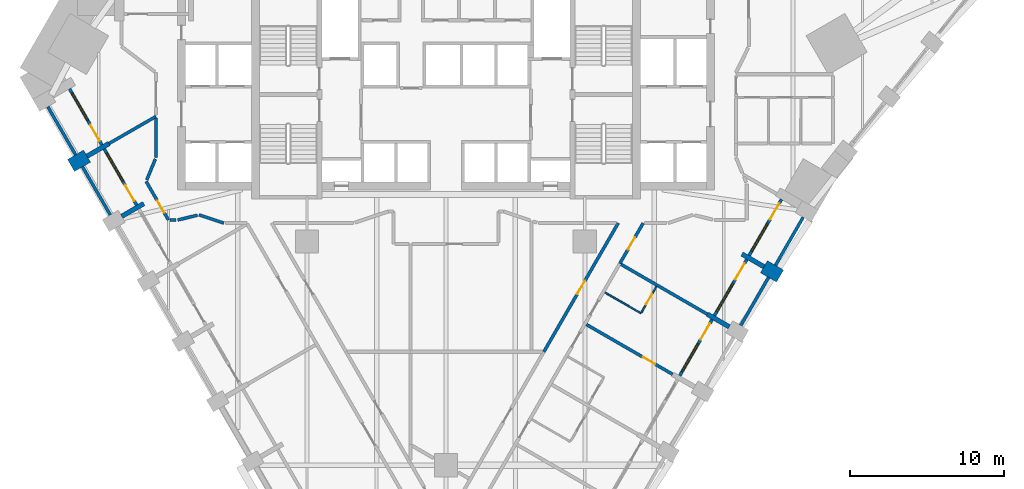
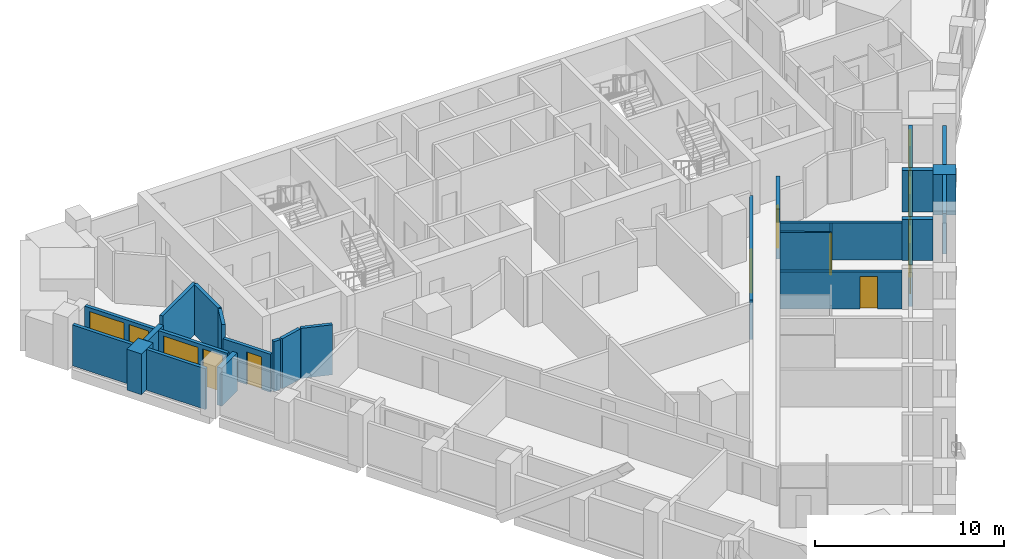
# One storey, part 5 of 11: 28 walls, 10 doors, 5 windows, 15 openings.
"""IFC4 building model written with IfcOpenShell, lengths in metres."""

from ifc_helpers import new_model, si_unit, direction, frame, frame_2d, origin, place, context, subcontext, project, spatial, polyline, rectangle, outline, extrude, material, layer, layer_set, type_object, element, fill, save


model = new_model("IFC4")

# Units and contexts
model_context = context("Model", 3, precision=1e-05, world=origin(), true_north=direction((0.0, 1.0)))
body_context = subcontext(model_context, "Body", "Model", "MODEL_VIEW")
ifc_project = project(units=[si_unit("LENGTHUNIT", "METRE"), si_unit("AREAUNIT", "SQUARE_METRE"), si_unit("VOLUMEUNIT", "CUBIC_METRE"), si_unit("PLANEANGLEUNIT", "RADIAN"), si_unit("MASSUNIT", "GRAM", prefix="KILO")], contexts=[model_context])

# Site, building, storey
site_placement = place(None, origin())
site = spatial("IfcSite", under=ifc_project, at=site_placement, CompositionType="ELEMENT")
building_placement = place(site_placement, origin())
building = spatial("IfcBuilding", under=site, at=building_placement, Name="Calabash Gate Tower", CompositionType="ELEMENT")
storey_placement = place(building_placement, frame((0.0, 0.0, 112.199951171875)))
storey = spatial("IfcBuildingStorey", under=building, at=storey_placement, Name="L25", CompositionType="ELEMENT", Elevation=112.199951171875)

# Walls
ifc_material_1 = material(Name="Terracotta brick masonry, exposed face", Category="masonry")
ifc_layer_1 = layer(ifc_material_1, 1.199951171875)
ifc_layer_set_1 = layer_set([ifc_layer_1], Name="Brick end wall 1200")
wall_type_1 = type_object("IfcWallType", Name="Brick end wall 1200", PredefinedType="SOLIDWALL", material=ifc_layer_set_1)
for number, where, z_axis, x_axis, name in (
    (1, (-24.30859375, 7.43896484375, 0.0), (0.0, 0.0, 1.0), (0.865955154139, 0.50012165622, 0.0), "Brick pier S07 SW0.1"),
    (2, (21.656494140625, 0.27197265625, 0.0), (0.0, 0.0, 1.0), (-0.866094119867, 0.499880961361, 0.0), "Brick pier S07 SE2.7"),
):
    element("IfcWall", number, at=place(storey_placement, frame(where, z_axis=z_axis, x_axis=x_axis)), inside=storey, type_object=wall_type_1, Name=name, PredefinedType="SOLIDWALL", context=body_context, shape_type="SweptSolid", body=[
        extrude(rectangle(XDim=1.199951171875, YDim=0.89990234375, at=frame_2d((0.60009765625, 0.0))), origin(), (0.0, 0.0, 1.0), 2.630126953125),
    ])
ifc_material_2 = material(Name="Terracotta brick masonry, exposed face", Category="masonry")
ifc_layer_2 = layer(ifc_material_2, 0.300048828125)
ifc_layer_set_2 = layer_set([ifc_layer_2], Name="Brick loggia cheek wall 300")
wall_type_2 = type_object("IfcWallType", Name="Brick loggia cheek wall 300", PredefinedType="SOLIDWALL", material=ifc_layer_set_2)
wall_1_placement = place(storey_placement, frame((-23.26953125, 8.0390625, 0.0), z_axis=(0.0, 0.0, 1.0), x_axis=(0.866040211805, 0.499974350878, 0.0)))
element("IfcWall", 3, at=wall_1_placement, inside=storey, type_object=wall_type_2, Name="Loggia cheek S07 SW0.1", PredefinedType="SOLIDWALL", context=body_context, shape_type="SweptSolid", body=[
    extrude(rectangle(XDim=1.64990234375, YDim=0.300048828125, at=frame_2d((0.824951171875, 0.0))), origin(), (0.0, 0.0, 1.0), 2.650146484375),
])
wall_2_placement = place(storey_placement, frame((-21.019287109375, 4.141845703125, 0.0), z_axis=(0.0, 0.0, 1.0), x_axis=(0.866003217194, 0.500038426333, 0.0)))
element("IfcWall", 4, at=wall_2_placement, inside=storey, type_object=wall_type_2, Name="Loggia cheek S07 SW0.2", PredefinedType="SOLIDWALL", context=body_context, shape_type="SweptSolid", body=[
    extrude(rectangle(XDim=1.649658203125, YDim=0.300048828125, at=frame_2d((0.82470703125, 0.0))), origin(), (0.0, 0.0, 1.0), 2.4501953125),
])
wall_3_placement = place(storey_placement, frame((18.366455078125, -3.024658203125, 0.0), z_axis=(0.0, 0.0, 1.0), x_axis=(-0.866057395165, 0.499944585209, 0.0)))
element("IfcWall", 5, at=wall_3_placement, inside=storey, type_object=wall_type_2, Name="Loggia cheek S07 SE2.6", PredefinedType="SOLIDWALL", context=body_context, shape_type="SweptSolid", body=[
    extrude(rectangle(XDim=1.649169921875, YDim=0.300048828125, at=frame_2d((0.82470703125, 0.0))), origin(), (0.0, 0.0, 1.0), 2.650146484375),
])
wall_4_placement = place(storey_placement, frame((20.6171875, 0.871826171875, 0.0), z_axis=(0.0, 0.0, 1.0), x_axis=(-0.866040211805, 0.499974350878, 0.0)))
element("IfcWall", 6, at=wall_4_placement, inside=storey, type_object=wall_type_2, Name="Loggia cheek S07 SE2.7", PredefinedType="SOLIDWALL", context=body_context, shape_type="SweptSolid", body=[
    extrude(rectangle(XDim=1.64990234375, YDim=0.300048828125, at=frame_2d((0.824951171875, 0.0))), origin(), (0.0, 0.0, 1.0), 2.650146484375),
])

# Wall, opening, door
ifc_material_3 = material(Name="Gypsum board on steel studs, mineral wool", Category="steel")
ifc_layer_3 = layer(ifc_material_3, 0.10009765625)
ifc_layer_set_3 = layer_set([ifc_layer_3], Name="Partition 100 gypsum board")
wall_type_3 = type_object("IfcWallType", Name="Partition 100 gypsum board", PredefinedType="PARTITIONING", material=ifc_layer_set_3)
wall_5_placement = place(storey_placement, frame((12.665771484375, -2.1005859375, 0.0), z_axis=(0.0, 0.0, 1.0), x_axis=(0.49995005938, 0.866054235095, 0.0)))
wall_5 = element("IfcWall", 7, at=wall_5_placement, inside=storey, type_object=wall_type_3, Name="Partition", PredefinedType="PARTITIONING", context=body_context, shape_type="SweptSolid", body=[
    extrude(rectangle(XDim=1.949951171875, YDim=0.10009765625, at=frame_2d((0.97509765625, 0.0))), origin(), (0.0, 0.0, 1.0), 2.384033203125),
])
opening_1_placement = place(wall_5_placement, frame((0.60009765625, 0.0, 0.0)))
opening_1 = element("IfcOpeningElement", 8, at=opening_1_placement, cuts=wall_5, Name="Opening 25-27-009", PredefinedType="OPENING", context=body_context, shape_type="SweptSolid", body=[
    extrude(rectangle(XDim=0.800048828125, YDim=2.10009765625, at=frame_2d((0.39990234375, 1.050048828125))), frame((0.0, 0.06005859375, 0.0), z_axis=(0.0, -1.0, 0.0), x_axis=(1.0, 0.0, 0.0)), (0.0, 0.0, 1.0), 0.1201171875),
])
ifc_material_4 = material(Name="Painted timber door", Category="wood")
door_type_1 = type_object("IfcDoorType", Name="GD5 En-suite door 800x2100", OperationType="NOTDEFINED", PredefinedType="DOOR", material=ifc_material_4)
door_1_placement = place(opening_1_placement, origin())
door_1 = element("IfcDoor", 9, at=door_1_placement, inside=storey, type_object=door_type_1, Name="En-suite door", OperationType="SINGLE_SWING_RIGHT", OverallHeight=2.10009765625, OverallWidth=0.800048828125, PredefinedType="DOOR", context=body_context, shape_type="SweptSolid", body=[
    extrude(rectangle(XDim=0.800048828125, YDim=2.10009765625, at=frame_2d((0.39990234375, 1.050048828125))), frame((0.0, 0.02490234375, 0.0), z_axis=(0.0, -1.0, 0.0), x_axis=(1.0, 0.0, 0.0)), (0.0, 0.0, 1.0), 0.050048828125),
])
fill(opening_1, door_1)

# Wall
wall_6_placement = place(storey_placement, frame((10.303466796875, -0.79248046875, 0.0), z_axis=(0.0, 0.0, 1.0), x_axis=(0.86571095196, -0.500544251447, 0.0)))
element("IfcWall", 10, at=wall_6_placement, inside=storey, type_object=wall_type_3, Name="Partition", PredefinedType="PARTITIONING", context=body_context, shape_type="SweptSolid", body=[
    extrude(rectangle(XDim=2.69970703125, YDim=0.10009765625, at=frame_2d((1.349853515625, 0.0))), origin(), (0.0, 0.0, 1.0), 3.22998046875),
])

# Wall, opening, door
ifc_material_5 = material(Name="Gypsum board on steel studs, mineral wool", Category="steel")
ifc_layer_4 = layer(ifc_material_5, 0.199951171875)
ifc_layer_set_4 = layer_set([ifc_layer_4], Name="Partition 200 gypsum board EI 60")
wall_type_4 = type_object("IfcWallType", Name="Partition 200 gypsum board EI 60", PredefinedType="PARTITIONING", material=ifc_layer_set_4)
wall_7_placement = place(storey_placement, frame((6.347900390625, -4.639404296875, 0.0), z_axis=(0.0, 0.0, 1.0), x_axis=(0.500160597015, 0.865932663198, 0.0)))
wall_7 = element("IfcWall", 11, at=wall_7_placement, inside=storey, type_object=wall_type_4, Name="Partition", PredefinedType="PARTITIONING", context=body_context, shape_type="SweptSolid", body=[
    extrude(rectangle(XDim=9.630126953125, YDim=0.199951171875, at=frame_2d((4.81494140625, 0.0))), origin(), (0.0, 0.0, 1.0), 2.552001953125),
])
opening_2_placement = place(wall_7_placement, frame((4.314697265625, 0.0, 0.0)))
opening_2 = element("IfcOpeningElement", 12, at=opening_2_placement, cuts=wall_7, Name="Opening 25-27-013", PredefinedType="OPENING", context=body_context, shape_type="SweptSolid", body=[
    extrude(rectangle(XDim=1.0, YDim=2.10009765625, at=frame_2d((0.5, 1.050048828125))), frame((0.0, 0.10986328125, 0.0), z_axis=(0.0, -1.0, 0.0), x_axis=(1.0, 0.0, 0.0)), (0.0, 0.0, 1.0), 0.219970703125),
])
ifc_material_6 = material(Name="Steel fire door set with fire-resisting glazing", Category="steel")
door_type_2 = type_object("IfcDoorType", Name="LD2 Meeting room door 1000x2100", OperationType="NOTDEFINED", PredefinedType="DOOR", material=ifc_material_6)
door_2_placement = place(opening_2_placement, origin())
door_2 = element("IfcDoor", 13, at=door_2_placement, inside=storey, type_object=door_type_2, Name="Meeting room door", OperationType="SINGLE_SWING_LEFT", OverallHeight=2.10009765625, OverallWidth=1.0, PredefinedType="DOOR", context=body_context, shape_type="SweptSolid", body=[
    extrude(rectangle(XDim=1.0, YDim=2.10009765625, at=frame_2d((0.5, 1.050048828125))), frame((0.0, 0.02490234375, 0.0), z_axis=(0.0, -1.0, 0.0), x_axis=(1.0, 0.0, 0.0)), (0.0, 0.0, 1.0), 0.050048828125),
])
fill(opening_2, door_2)

wall_8_placement = place(storey_placement, frame((9.103515625, -2.870849609375, 0.0), z_axis=(0.0, 0.0, 1.0), x_axis=(0.865901871826, -0.500213902613, 0.0)))
wall_8 = element("IfcWall", 14, at=wall_8_placement, inside=storey, type_object=wall_type_4, Name="Partition", PredefinedType="PARTITIONING", context=body_context, shape_type="SweptSolid", body=[
    extrude(rectangle(XDim=6.449951171875, YDim=0.199951171875, at=frame_2d((3.22509765625, 0.0))), origin(), (0.0, 0.0, 1.0), 2.384033203125),
])
opening_3_placement = place(wall_8_placement, frame((4.249755859375, 0.0, 0.0)))
opening_3 = element("IfcOpeningElement", 15, at=opening_3_placement, cuts=wall_8, Name="Opening 25-27-010", PredefinedType="OPENING", context=body_context, shape_type="SweptSolid", body=[
    extrude(rectangle(XDim=0.89990234375, YDim=2.10009765625, at=frame_2d((0.449951171875, 1.050048828125))), frame((0.0, 0.10986328125, 0.0), z_axis=(0.0, -1.0, 0.0), x_axis=(1.0, 0.0, 0.0)), (0.0, 0.0, 1.0), 0.219970703125),
])
ifc_material_7 = material(Name="Steel fire door set with fire-resisting glazing", Category="steel")
door_type_3 = type_object("IfcDoorType", Name="GD4 Connecting door 900x2100", OperationType="NOTDEFINED", PredefinedType="DOOR", material=ifc_material_7)
door_3_placement = place(opening_3_placement, origin())
door_3 = element("IfcDoor", 16, at=door_3_placement, inside=storey, type_object=door_type_3, Name="Connecting door", OperationType="SINGLE_SWING_RIGHT", OverallHeight=2.10009765625, OverallWidth=0.89990234375, PredefinedType="DOOR", context=body_context, shape_type="SweptSolid", body=[
    extrude(rectangle(XDim=0.89990234375, YDim=2.10009765625, at=frame_2d((0.449951171875, 1.050048828125))), frame((0.0, 0.02490234375, 0.0), z_axis=(0.0, -1.0, 0.0), x_axis=(1.0, 0.0, 0.0)), (0.0, 0.0, 1.0), 0.050048828125),
])
fill(opening_3, door_3)

# Walls
wall_9_placement = place(storey_placement, frame((11.355224609375, 1.025390625, 0.0), z_axis=(0.0, 0.0, 1.0), x_axis=(0.865748417306, -0.500479448062, 0.0)))
element("IfcWall", 17, at=wall_9_placement, inside=storey, type_object=wall_type_4, Name="Partition", PredefinedType="PARTITIONING", context=body_context, shape_type="SweptSolid", body=[
    extrude(rectangle(XDim=6.447998046875, YDim=0.199951171875, at=frame_2d((3.22412109375, 0.0))), origin(), (0.0, 0.0, 1.0), 2.384033203125),
])
wall_10_placement = place(storey_placement, frame((-16.01611328125, 4.23828125, 0.0), z_axis=(0.0, 0.0, 1.0), x_axis=(0.948654629562, -0.31631375849, 0.0)))
element("IfcWall", 18, at=wall_10_placement, inside=storey, type_object=wall_type_4, Name="Partition", PredefinedType="PARTITIONING", context=body_context, shape_type="SweptSolid", body=[
    extrude(rectangle(XDim=1.703369140625, YDim=0.199951171875, at=frame_2d((0.8515625, 0.0))), origin(), (0.0, 0.0, 1.0), 3.22998046875),
])

# Wall, opening, door
wall_11_placement = place(storey_placement, frame((11.2685546875, 1.075439453125, 0.0), z_axis=(0.0, 0.0, 1.0), x_axis=(0.499554983499, 0.866282181775, 0.0)))
wall_11 = element("IfcWall", 19, at=wall_11_placement, inside=storey, type_object=wall_type_4, Name="Partition", PredefinedType="PARTITIONING", context=body_context, shape_type="SweptSolid", body=[
    extrude(rectangle(XDim=3.029052734375, YDim=0.199951171875, at=frame_2d((1.5146484375, 0.0))), origin(), (0.0, 0.0, 1.0), 3.22998046875),
])
opening_4_placement = place(wall_11_placement, frame((1.063720703125, 0.0, 0.0)))
opening_4 = element("IfcOpeningElement", 20, at=opening_4_placement, cuts=wall_11, Name="Opening 25-27-025", PredefinedType="OPENING", context=body_context, shape_type="SweptSolid", body=[
    extrude(rectangle(XDim=0.89990234375, YDim=2.10009765625, at=frame_2d((0.449951171875, 1.050048828125))), frame((0.0, 0.10986328125, 0.0), z_axis=(0.0, -1.0, 0.0), x_axis=(1.0, 0.0, 0.0)), (0.0, 0.0, 1.0), 0.219970703125),
])
ifc_material_8 = material(Name="Steel fire door set with fire-resisting glazing", Category="steel")
door_type_4 = type_object("IfcDoorType", Name="SD3 Store door 900x2100", OperationType="NOTDEFINED", PredefinedType="DOOR", material=ifc_material_8)
door_4_placement = place(opening_4_placement, origin())
door_4 = element("IfcDoor", 21, at=door_4_placement, inside=storey, type_object=door_type_4, Name="Store door", OperationType="SINGLE_SWING_RIGHT", OverallHeight=2.10009765625, OverallWidth=0.89990234375, PredefinedType="DOOR", context=body_context, shape_type="SweptSolid", body=[
    extrude(rectangle(XDim=0.89990234375, YDim=2.10009765625, at=frame_2d((0.449951171875, 1.050048828125))), frame((0.0, 0.02490234375, 0.0), z_axis=(0.0, -1.0, 0.0), x_axis=(1.0, 0.0, 0.0)), (0.0, 0.0, 1.0), 0.050048828125),
])
fill(opening_4, door_4)

wall_12_placement = place(storey_placement, frame((-19.438720703125, 6.403076171875, 0.0), z_axis=(0.0, 0.0, 1.0), x_axis=(0.500017289984, -0.866015421177, 0.0)))
wall_12 = element("IfcWall", 22, at=wall_12_placement, inside=storey, type_object=wall_type_4, Name="Partition", PredefinedType="PARTITIONING", context=body_context, shape_type="SweptSolid", body=[
    extrude(rectangle(XDim=2.89111328125, YDim=0.199951171875, at=frame_2d((1.445556640625, 0.0))), origin(), (0.0, 0.0, 1.0), 2.4501953125),
])
opening_5_placement = place(wall_12_placement, frame((1.445556640625, 0.0, 0.0)))
opening_5 = element("IfcOpeningElement", 23, at=opening_5_placement, cuts=wall_12, Name="Opening 25-27-023", PredefinedType="OPENING", context=body_context, shape_type="SweptSolid", body=[
    extrude(rectangle(XDim=0.89990234375, YDim=2.10009765625, at=frame_2d((0.449951171875, 1.050048828125))), frame((0.0, 0.10986328125, 0.0), z_axis=(0.0, -1.0, 0.0), x_axis=(1.0, 0.0, 0.0)), (0.0, 0.0, 1.0), 0.219970703125),
])
door_5_placement = place(opening_5_placement, origin())
door_5 = element("IfcDoor", 24, at=door_5_placement, inside=storey, type_object=door_type_4, Name="Store door", OperationType="SINGLE_SWING_RIGHT", OverallHeight=2.10009765625, OverallWidth=0.89990234375, PredefinedType="DOOR", context=body_context, shape_type="SweptSolid", body=[
    extrude(rectangle(XDim=0.89990234375, YDim=2.10009765625, at=frame_2d((0.449951171875, 1.050048828125))), frame((0.0, 0.02490234375, 0.0), z_axis=(0.0, -1.0, 0.0), x_axis=(1.0, 0.0, 0.0)), (0.0, 0.0, 1.0), 0.050048828125),
])
fill(opening_5, door_5)

# Walls
wall_13_placement = place(storey_placement, frame((-17.893310546875, 3.8994140625, 0.0), z_axis=(0.0, 0.0, 1.0), x_axis=(1.0, 0.0, 0.0)))
element("IfcWall", 25, at=wall_13_placement, inside=storey, type_object=wall_type_4, Name="Partition", PredefinedType="PARTITIONING", context=body_context, shape_type="SweptSolid", body=[
    extrude(rectangle(XDim=0.393310546875, YDim=0.199951171875, at=frame_2d((0.19677734375, 0.0))), origin(), (0.0, 0.0, 1.0), 3.22998046875),
])
wall_14_placement = place(storey_placement, frame((-17.39990234375, 3.8994140625, 0.0), z_axis=(0.0, 0.0, 1.0), x_axis=(0.971323377413, 0.237762268854, 0.0)))
element("IfcWall", 26, at=wall_14_placement, inside=storey, type_object=wall_type_4, Name="Partition", PredefinedType="PARTITIONING", context=body_context, shape_type="SweptSolid", body=[
    extrude(rectangle(XDim=1.32470703125, YDim=0.199951171875, at=frame_2d((0.662353515625, 0.0))), origin(), (0.0, 0.0, 1.0), 3.22998046875),
])
wall_15_placement = place(storey_placement, frame((-19.400390625, 6.49560546875, 0.0), z_axis=(0.0, 0.0, 1.0), x_axis=(0.380699876076, 0.924698655971, 0.0)))
element("IfcWall", 27, at=wall_15_placement, inside=storey, type_object=wall_type_4, Name="Partition", PredefinedType="PARTITIONING", context=body_context, shape_type="SweptSolid", body=[
    extrude(rectangle(XDim=1.4755859375, YDim=0.199951171875, at=frame_2d((0.73779296875, 0.0))), origin(), (0.0, 0.0, 1.0), 3.22998046875),
])
wall_16_placement = place(storey_placement, frame((-18.802001953125, 10.51806640625, 0.0), z_axis=(0.0, 0.0, 1.0), x_axis=(0.000570993436, -0.999999836983, 0.0)))
element("IfcWall", 28, at=wall_16_placement, inside=storey, type_object=wall_type_4, Name="Partition", PredefinedType="PARTITIONING", context=body_context, shape_type="SweptSolid", body=[
    extrude(rectangle(XDim=2.5654296875, YDim=0.199951171875, at=frame_2d((1.28271484375, 0.0))), origin(), (0.0, 0.0, 1.0), 3.22998046875),
])
wall_17_placement = place(storey_placement, frame((-21.84033203125, 8.86376953125, 0.0), z_axis=(0.0, 0.0, 1.0), x_axis=(0.866284025074, 0.499551787007, 0.0)))
element("IfcWall", 29, at=wall_17_placement, inside=storey, type_object=wall_type_4, Name="Partition", PredefinedType="PARTITIONING", context=body_context, shape_type="SweptSolid", body=[
    extrude(rectangle(XDim=3.509033203125, YDim=0.199951171875, at=frame_2d((1.75439453125, 0.0))), origin(), (0.0, 0.0, 1.0), 3.22998046875),
])
ifc_material_9 = material(Name="Terracotta brick masonry, perforated", Category="masonry")
ifc_layer_5 = layer(ifc_material_9, 0.199951171875)
ifc_layer_set_5 = layer_set([ifc_layer_5], Name="Terracotta jaali screen A")
wall_type_5 = type_object("IfcWallType", Name="Terracotta jaali screen A", PredefinedType="SOLIDWALL", material=ifc_layer_set_5)
for number, where, z_axis, x_axis, name in (
    (30, (-25.81396484375, 11.246337890625, 0.0), (0.0, 0.0, 1.0), (0.500012057535, -0.866018442252, 0.0), "SCREEN A S07 SW0.1"),
    (31, (-23.56396484375, 7.34912109375, 0.0), (0.0, 0.0, 1.0), (0.500012057535, -0.866018442252, 0.0), "SCREEN A S07 SW0.2"),
):
    element("IfcWall", number, at=place(storey_placement, frame(where, z_axis=z_axis, x_axis=x_axis)), inside=storey, type_object=wall_type_5, Name=name, PredefinedType="SOLIDWALL", context=body_context, shape_type="SweptSolid", body=[
        extrude(rectangle(XDim=3.60009765625, YDim=0.199951171875, at=frame_2d((1.800048828125, 0.0))), origin(), (0.0, 0.0, 1.0), 2.630126953125),
    ])
wall_18_placement = place(storey_placement, origin())
element("IfcWall", 32, at=wall_18_placement, inside=storey, type_object=wall_type_5, Name="SCREEN A S07 SE2.7", PredefinedType="SOLIDWALL", context=body_context, shape_type="SweptSolid", body=[
    extrude(outline(polyline([(20.8251953125, 0.232177734375), (19.0263671875, -2.8837890625), (19.199462890625, -2.98388671875), (20.99853515625, 0.132080078125), (20.8251953125, 0.232177734375)])), origin(), (0.0, 0.0, 1.0), 2.630126953125),
])
wall_19_placement = place(storey_placement, frame((21.36181640625, 0.961669921875, 0.0), z_axis=(0.0, 0.0, 1.0), x_axis=(0.500012057535, 0.866018442252, 0.0)))
element("IfcWall", 33, at=wall_19_placement, inside=storey, type_object=wall_type_5, Name="SCREEN A S07 SE2.8", PredefinedType="SOLIDWALL", context=body_context, shape_type="SweptSolid", body=[
    extrude(rectangle(XDim=3.60009765625, YDim=0.199951171875, at=frame_2d((1.800048828125, 0.0))), origin(), (0.0, 0.0, 1.0), 2.630126953125),
])

# Wall, openings, door, window
ifc_material_10 = material(Name="Aluminium framed window wall with insulated spandrel", Category="aluminium")
ifc_layer_6 = layer(ifc_material_10, 0.199951171875)
ifc_layer_set_6 = layer_set([ifc_layer_6], Name="Window wall 200")
wall_type_6 = type_object("IfcWallType", Name="Window wall 200", PredefinedType="ELEMENTEDWALL", material=ifc_layer_set_6)
wall_20_placement = place(storey_placement, frame((-24.4052734375, 12.40625, 0.0), z_axis=(0.0, 0.0, 1.0), x_axis=(0.500002543286, -0.866023935413, 0.0)))
wall_20 = element("IfcWall", 34, at=wall_20_placement, inside=storey, type_object=wall_type_6, Name="Window wall S07 SW0.1", PredefinedType="ELEMENTEDWALL", context=body_context, shape_type="SweptSolid", body=[
    extrude(rectangle(XDim=4.2001953125, YDim=0.199951171875, at=frame_2d((2.10009765625, 0.0))), origin(), (0.0, 0.0, 1.0), 2.650146484375),
])
opening_6_placement = place(wall_20_placement, frame((0.300048828125, 0.0, 0.60009765625)))
opening_6 = element("IfcOpeningElement", 35, at=opening_6_placement, cuts=wall_20, Name="Opening HW1", PredefinedType="OPENING", context=body_context, shape_type="SweptSolid", body=[
    extrude(rectangle(XDim=2.10009765625, YDim=1.800048828125, at=frame_2d((1.050048828125, 0.89990234375))), frame((0.0, 0.10986328125, 0.0), z_axis=(0.0, -1.0, 0.0), x_axis=(1.0, 0.0, 0.0)), (0.0, 0.0, 1.0), 0.219970703125),
])
opening_7_placement = place(wall_20_placement, frame((2.699951171875, 0.0, 0.0)))
opening_7 = element("IfcOpeningElement", 36, at=opening_7_placement, cuts=wall_20, Name="Opening H7-024", PredefinedType="OPENING", context=body_context, shape_type="SweptSolid", body=[
    extrude(rectangle(XDim=1.199951171875, YDim=2.39990234375, at=frame_2d((0.60009765625, 1.199951171875))), frame((0.0, 0.10986328125, 0.0), z_axis=(0.0, -1.0, 0.0), x_axis=(1.0, 0.0, 0.0)), (0.0, 0.0, 1.0), 0.219970703125),
])
ifc_material_11 = material(Name="Anodised aluminium frame, bronze finish, impact-rated laminated clear glazing", Category="aluminium")
door_type_5 = type_object("IfcDoorType", Name="Loggia door DH1 1200x2400", OperationType="SLIDING_TO_LEFT", PredefinedType="DOOR", material=ifc_material_11)
door_6_placement = place(opening_7_placement, origin())
door_6 = element("IfcDoor", 37, at=door_6_placement, inside=storey, type_object=door_type_5, Name="Loggia door S07 SW0.1", OperationType="SINGLE_SWING_LEFT", OverallHeight=2.39990234375, OverallWidth=1.199951171875, PredefinedType="DOOR", context=body_context, shape_type="SweptSolid", body=[
    extrude(rectangle(XDim=1.199951171875, YDim=2.39990234375, at=frame_2d((0.60009765625, 1.199951171875))), frame((0.0, 0.02490234375, 0.0), z_axis=(0.0, -1.0, 0.0), x_axis=(1.0, 0.0, 0.0)), (0.0, 0.0, 1.0), 0.050048828125),
])
fill(opening_7, door_6)
ifc_material_12 = material(Name="Anodised aluminium frame, bronze finish, impact-rated laminated clear glazing", Category="aluminium")
window_type_1 = type_object("IfcWindowType", Name="Window HW1 2100x1800", PartitioningType="DOUBLE_PANEL_VERTICAL", PredefinedType="WINDOW", material=ifc_material_12)
window_1_placement = place(opening_6_placement, origin())
window_1 = element("IfcWindow", 38, at=window_1_placement, inside=storey, type_object=window_type_1, Name="Window HW1 S07 SW0.1", OverallHeight=1.800048828125, OverallWidth=2.10009765625, PartitioningType="SINGLE_PANEL", PredefinedType="WINDOW", context=body_context, shape_type="SweptSolid", body=[
    extrude(rectangle(XDim=2.10009765625, YDim=1.800048828125, at=frame_2d((1.050048828125, 0.89990234375))), frame((0.0, 0.030029296875, 0.0), z_axis=(0.0, -1.0, 0.0), x_axis=(1.0, 0.0, 0.0)), (0.0, 0.0, 1.0), 0.06005859375),
])
fill(opening_6, window_1)

wall_21_placement = place(storey_placement, frame((-22.1552734375, 8.509033203125, 0.0), z_axis=(0.0, 0.0, 1.0), x_axis=(0.500027713859, -0.866009402589, 0.0)))
wall_21 = element("IfcWall", 39, at=wall_21_placement, inside=storey, type_object=wall_type_6, Name="Window wall S07 SW0.2", PredefinedType="ELEMENTEDWALL", context=body_context, shape_type="SweptSolid", body=[
    extrude(rectangle(XDim=4.199951171875, YDim=0.199951171875, at=frame_2d((2.10009765625, 0.0))), origin(), (0.0, 0.0, 1.0), 2.650146484375),
])
opening_8_placement = place(wall_21_placement, frame((0.300048828125, 0.0, 0.60009765625)))
opening_8 = element("IfcOpeningElement", 40, at=opening_8_placement, cuts=wall_21, Name="Opening HW1", PredefinedType="OPENING", context=body_context, shape_type="SweptSolid", body=[
    extrude(rectangle(XDim=2.10009765625, YDim=1.800048828125, at=frame_2d((1.050048828125, 0.89990234375))), frame((0.0, 0.10986328125, 0.0), z_axis=(0.0, -1.0, 0.0), x_axis=(1.0, 0.0, 0.0)), (0.0, 0.0, 1.0), 0.219970703125),
])
opening_9_placement = place(wall_21_placement, frame((2.699951171875, 0.0, 0.0)))
opening_9 = element("IfcOpeningElement", 41, at=opening_9_placement, cuts=wall_21, Name="Opening H7-025", PredefinedType="OPENING", context=body_context, shape_type="SweptSolid", body=[
    extrude(rectangle(XDim=1.199951171875, YDim=2.39990234375, at=frame_2d((0.60009765625, 1.199951171875))), frame((0.0, 0.10986328125, 0.0), z_axis=(0.0, -1.0, 0.0), x_axis=(1.0, 0.0, 0.0)), (0.0, 0.0, 1.0), 0.219970703125),
])
door_7_placement = place(opening_9_placement, origin())
door_7 = element("IfcDoor", 42, at=door_7_placement, inside=storey, type_object=door_type_5, Name="Loggia door S07 SW0.2", OperationType="SINGLE_SWING_LEFT", OverallHeight=2.39990234375, OverallWidth=1.199951171875, PredefinedType="DOOR", context=body_context, shape_type="SweptSolid", body=[
    extrude(rectangle(XDim=1.199951171875, YDim=2.39990234375, at=frame_2d((0.60009765625, 1.199951171875))), frame((0.0, 0.02490234375, 0.0), z_axis=(0.0, -1.0, 0.0), x_axis=(1.0, 0.0, 0.0)), (0.0, 0.0, 1.0), 0.050048828125),
])
fill(opening_9, door_7)
window_2_placement = place(opening_8_placement, origin())
window_2 = element("IfcWindow", 43, at=window_2_placement, inside=storey, type_object=window_type_1, Name="Window HW1 S07 SW0.2", OverallHeight=1.800048828125, OverallWidth=2.10009765625, PartitioningType="SINGLE_PANEL", PredefinedType="WINDOW", context=body_context, shape_type="SweptSolid", body=[
    extrude(rectangle(XDim=2.10009765625, YDim=1.800048828125, at=frame_2d((1.050048828125, 0.89990234375))), frame((0.0, 0.030029296875, 0.0), z_axis=(0.0, -1.0, 0.0), x_axis=(1.0, 0.0, 0.0)), (0.0, 0.0, 1.0), 0.06005859375),
])
fill(opening_8, window_2)

wall_22_placement = place(storey_placement, frame((15.153076171875, -6.1923828125, 0.0), z_axis=(0.0, 0.0, 1.0), x_axis=(0.49998411664, 0.866034573852, 0.0)))
wall_22 = element("IfcWall", 44, at=wall_22_placement, inside=storey, type_object=wall_type_6, Name="Window wall S07 SE2.6", PredefinedType="ELEMENTEDWALL", context=body_context, shape_type="SweptSolid", body=[
    extrude(rectangle(XDim=4.199951171875, YDim=0.199951171875, at=frame_2d((2.10009765625, 0.0))), origin(), (0.0, 0.0, 1.0), 2.650146484375),
])
opening_10_placement = place(wall_22_placement, frame((0.300048828125, 0.0, 0.60009765625)))
opening_10 = element("IfcOpeningElement", 45, at=opening_10_placement, cuts=wall_22, Name="Opening HW1", PredefinedType="OPENING", context=body_context, shape_type="SweptSolid", body=[
    extrude(rectangle(XDim=2.10009765625, YDim=1.800048828125, at=frame_2d((1.050048828125, 0.89990234375))), frame((0.0, 0.10986328125, 0.0), z_axis=(0.0, -1.0, 0.0), x_axis=(1.0, 0.0, 0.0)), (0.0, 0.0, 1.0), 0.219970703125),
])
opening_11_placement = place(wall_22_placement, frame((2.699951171875, 0.0, 0.0)))
opening_11 = element("IfcOpeningElement", 46, at=opening_11_placement, cuts=wall_22, Name="Opening H7-021", PredefinedType="OPENING", context=body_context, shape_type="SweptSolid", body=[
    extrude(rectangle(XDim=1.199951171875, YDim=2.39990234375, at=frame_2d((0.60009765625, 1.199951171875))), frame((0.0, 0.10986328125, 0.0), z_axis=(0.0, -1.0, 0.0), x_axis=(1.0, 0.0, 0.0)), (0.0, 0.0, 1.0), 0.219970703125),
])
door_8_placement = place(opening_11_placement, origin())
door_8 = element("IfcDoor", 47, at=door_8_placement, inside=storey, type_object=door_type_5, Name="Loggia door S07 SE2.6", OperationType="SINGLE_SWING_LEFT", OverallHeight=2.39990234375, OverallWidth=1.199951171875, PredefinedType="DOOR", context=body_context, shape_type="SweptSolid", body=[
    extrude(rectangle(XDim=1.199951171875, YDim=2.39990234375, at=frame_2d((0.60009765625, 1.199951171875))), frame((0.0, 0.02490234375, 0.0), z_axis=(0.0, -1.0, 0.0), x_axis=(1.0, 0.0, 0.0)), (0.0, 0.0, 1.0), 0.050048828125),
])
fill(opening_11, door_8)
window_3_placement = place(opening_10_placement, origin())
window_3 = element("IfcWindow", 48, at=window_3_placement, inside=storey, type_object=window_type_1, Name="Window HW1 S07 SE2.6", OverallHeight=1.800048828125, OverallWidth=2.10009765625, PartitioningType="SINGLE_PANEL", PredefinedType="WINDOW", context=body_context, shape_type="SweptSolid", body=[
    extrude(rectangle(XDim=2.10009765625, YDim=1.800048828125, at=frame_2d((1.050048828125, 0.89990234375))), frame((0.0, 0.030029296875, 0.0), z_axis=(0.0, -1.0, 0.0), x_axis=(1.0, 0.0, 0.0)), (0.0, 0.0, 1.0), 0.06005859375),
])
fill(opening_10, window_3)

wall_23_placement = place(storey_placement, frame((17.403076171875, -2.29541015625, 0.0), z_axis=(0.0, 0.0, 1.0), x_axis=(0.499958946799, 0.866049104564, 0.0)))
wall_23 = element("IfcWall", 49, at=wall_23_placement, inside=storey, type_object=wall_type_6, Name="Window wall S07 SE2.7", PredefinedType="ELEMENTEDWALL", context=body_context, shape_type="SweptSolid", body=[
    extrude(rectangle(XDim=4.199951171875, YDim=0.199951171875, at=frame_2d((2.10009765625, 0.0))), origin(), (0.0, 0.0, 1.0), 2.650146484375),
])
opening_12_placement = place(wall_23_placement, frame((0.300048828125, 0.0, 0.60009765625)))
opening_12 = element("IfcOpeningElement", 50, at=opening_12_placement, cuts=wall_23, Name="Opening HW1", PredefinedType="OPENING", context=body_context, shape_type="SweptSolid", body=[
    extrude(rectangle(XDim=2.10009765625, YDim=1.800048828125, at=frame_2d((1.050048828125, 0.89990234375))), frame((0.0, 0.10986328125, 0.0), z_axis=(0.0, -1.0, 0.0), x_axis=(1.0, 0.0, 0.0)), (0.0, 0.0, 1.0), 0.219970703125),
])
opening_13_placement = place(wall_23_placement, frame((2.699951171875, 0.0, 0.0)))
opening_13 = element("IfcOpeningElement", 51, at=opening_13_placement, cuts=wall_23, Name="Opening H7-022", PredefinedType="OPENING", context=body_context, shape_type="SweptSolid", body=[
    extrude(rectangle(XDim=1.199951171875, YDim=2.39990234375, at=frame_2d((0.60009765625, 1.199951171875))), frame((0.0, 0.10986328125, 0.0), z_axis=(0.0, -1.0, 0.0), x_axis=(1.0, 0.0, 0.0)), (0.0, 0.0, 1.0), 0.219970703125),
])
door_9_placement = place(opening_13_placement, origin())
door_9 = element("IfcDoor", 52, at=door_9_placement, inside=storey, type_object=door_type_5, Name="Loggia door S07 SE2.7", OperationType="SINGLE_SWING_LEFT", OverallHeight=2.39990234375, OverallWidth=1.199951171875, PredefinedType="DOOR", context=body_context, shape_type="SweptSolid", body=[
    extrude(rectangle(XDim=1.199951171875, YDim=2.39990234375, at=frame_2d((0.60009765625, 1.199951171875))), frame((0.0, 0.02490234375, 0.0), z_axis=(0.0, -1.0, 0.0), x_axis=(1.0, 0.0, 0.0)), (0.0, 0.0, 1.0), 0.050048828125),
])
fill(opening_13, door_9)
window_4_placement = place(opening_12_placement, origin())
window_4 = element("IfcWindow", 53, at=window_4_placement, inside=storey, type_object=window_type_1, Name="Window HW1 S07 SE2.7", OverallHeight=1.800048828125, OverallWidth=2.10009765625, PartitioningType="SINGLE_PANEL", PredefinedType="WINDOW", context=body_context, shape_type="SweptSolid", body=[
    extrude(rectangle(XDim=2.10009765625, YDim=1.800048828125, at=frame_2d((1.050048828125, 0.89990234375))), frame((0.0, 0.030029296875, 0.0), z_axis=(0.0, -1.0, 0.0), x_axis=(1.0, 0.0, 0.0)), (0.0, 0.0, 1.0), 0.06005859375),
])
fill(opening_12, window_4)

wall_24_placement = place(storey_placement, frame((19.653076171875, 1.601806640625, 0.0), z_axis=(0.0, 0.0, 1.0), x_axis=(0.49998411664, 0.866034573852, 0.0)))
wall_24 = element("IfcWall", 54, at=wall_24_placement, inside=storey, type_object=wall_type_6, Name="Window wall S07 SE2.8", PredefinedType="ELEMENTEDWALL", context=body_context, shape_type="SweptSolid", body=[
    extrude(rectangle(XDim=4.199951171875, YDim=0.199951171875, at=frame_2d((2.10009765625, 0.0))), origin(), (0.0, 0.0, 1.0), 2.4501953125),
])
opening_14_placement = place(wall_24_placement, frame((0.300048828125, 0.0, 0.60009765625)))
opening_14 = element("IfcOpeningElement", 55, at=opening_14_placement, cuts=wall_24, Name="Opening HW1L-1750", PredefinedType="OPENING", context=body_context, shape_type="SweptSolid", body=[
    extrude(rectangle(XDim=2.10009765625, YDim=1.75, at=frame_2d((1.050048828125, 0.875))), frame((0.0, 0.10986328125, 0.0), z_axis=(0.0, -1.0, 0.0), x_axis=(1.0, 0.0, 0.0)), (0.0, 0.0, 1.0), 0.219970703125),
])
opening_15_placement = place(wall_24_placement, frame((2.699951171875, 0.0, 0.0)))
opening_15 = element("IfcOpeningElement", 56, at=opening_15_placement, cuts=wall_24, Name="Opening H7-023", PredefinedType="OPENING", context=body_context, shape_type="SweptSolid", body=[
    extrude(rectangle(XDim=1.199951171875, YDim=2.35009765625, at=frame_2d((0.60009765625, 1.175048828125))), frame((0.0, 0.10986328125, 0.0), z_axis=(0.0, -1.0, 0.0), x_axis=(1.0, 0.0, 0.0)), (0.0, 0.0, 1.0), 0.219970703125),
])
ifc_material_13 = material(Name="Anodised aluminium frame, bronze finish, impact-rated laminated clear glazing", Category="aluminium")
door_type_6 = type_object("IfcDoorType", Name="Loggia door DH1L-2350 1200x2350", OperationType="SLIDING_TO_LEFT", PredefinedType="DOOR", material=ifc_material_13)
door_10_placement = place(opening_15_placement, origin())
door_10 = element("IfcDoor", 57, at=door_10_placement, inside=storey, type_object=door_type_6, Name="Loggia door S07 SE2.8", OperationType="SINGLE_SWING_LEFT", OverallHeight=2.35009765625, OverallWidth=1.199951171875, PredefinedType="DOOR", context=body_context, shape_type="SweptSolid", body=[
    extrude(rectangle(XDim=1.199951171875, YDim=2.35009765625, at=frame_2d((0.60009765625, 1.175048828125))), frame((0.0, 0.02490234375, 0.0), z_axis=(0.0, -1.0, 0.0), x_axis=(1.0, 0.0, 0.0)), (0.0, 0.0, 1.0), 0.050048828125),
])
fill(opening_15, door_10)
ifc_material_14 = material(Name="Anodised aluminium frame, bronze finish, impact-rated laminated clear glazing", Category="aluminium")
window_type_2 = type_object("IfcWindowType", Name="Window HW1L 2100x1750", PartitioningType="DOUBLE_PANEL_VERTICAL", PredefinedType="WINDOW", material=ifc_material_14)
window_5_placement = place(opening_14_placement, origin())
window_5 = element("IfcWindow", 58, at=window_5_placement, inside=storey, type_object=window_type_2, Name="Window HW1 S07 SE2.8", OverallHeight=1.75, OverallWidth=2.10009765625, PartitioningType="SINGLE_PANEL", PredefinedType="WINDOW", context=body_context, shape_type="SweptSolid", body=[
    extrude(rectangle(XDim=2.10009765625, YDim=1.75, at=frame_2d((1.050048828125, 0.875))), frame((0.0, 0.030029296875, 0.0), z_axis=(0.0, -1.0, 0.0), x_axis=(1.0, 0.0, 0.0)), (0.0, 0.0, 1.0), 0.06005859375),
])
fill(opening_14, window_5)

save(model, "model.ifc")
